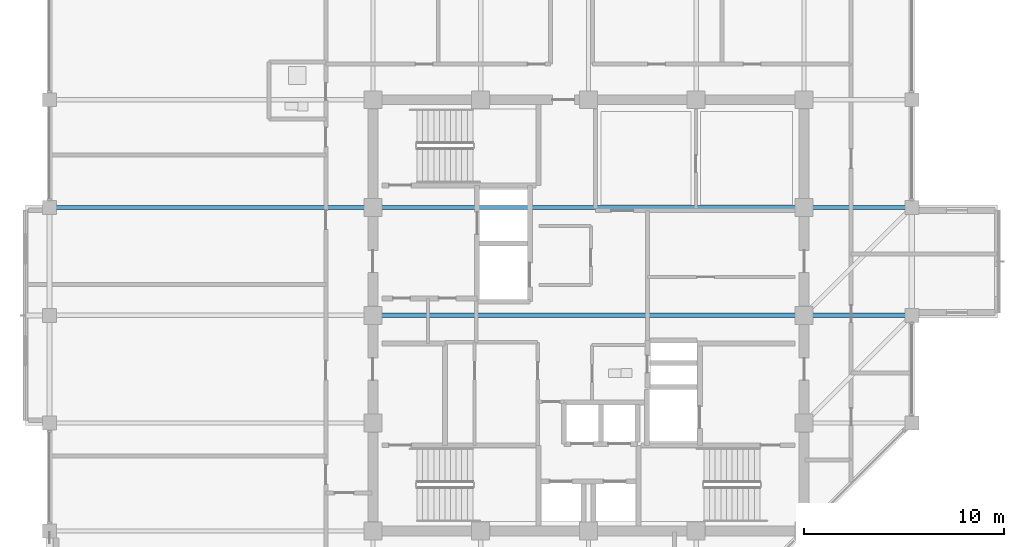
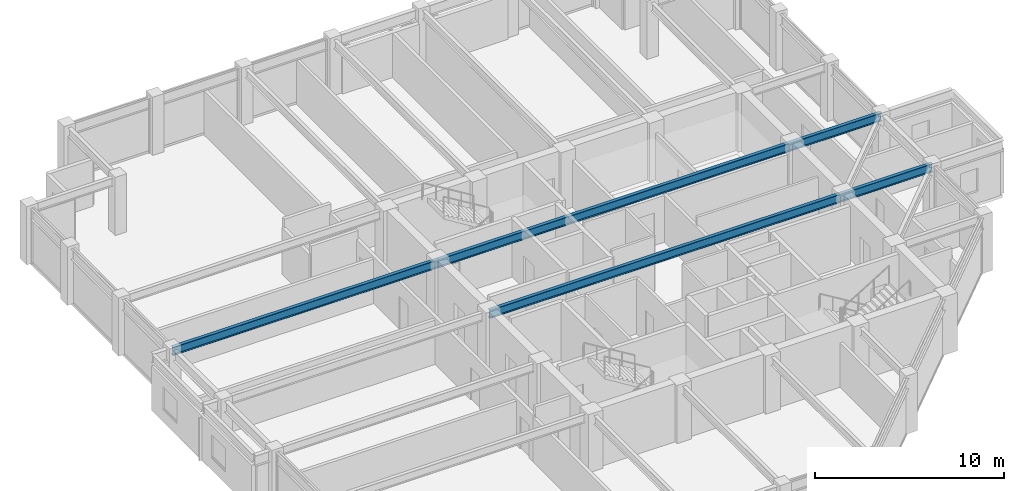
# One storey, part 9 of 30: 3 beams.
"""IFC4 building model written with IfcOpenShell, lengths in metres."""

from ifc_helpers import new_model, si_unit, direction, frame, origin, origin_2d, place, context, subcontext, project, spatial, i_section, extrude, material, material_profile, profile_set, type_object, element, save


model = new_model("IFC4")

# Units and contexts
model_context = context("Model", 3, precision=1e-05, world=origin(), true_north=direction((0.0, 1.0)))
body_context = subcontext(model_context, "Body", "Model", "MODEL_VIEW")
ifc_project = project(units=[si_unit("LENGTHUNIT", "METRE"), si_unit("AREAUNIT", "SQUARE_METRE"), si_unit("VOLUMEUNIT", "CUBIC_METRE"), si_unit("PLANEANGLEUNIT", "RADIAN"), si_unit("MASSUNIT", "GRAM", prefix="KILO")], contexts=[model_context])

# Site, building, storey
site_placement = place(None, origin())
site = spatial("IfcSite", under=ifc_project, at=site_placement, CompositionType="ELEMENT")
building_placement = place(site_placement, origin())
building = spatial("IfcBuilding", under=site, at=building_placement, Name="Surkhivell Harbour Commons", CompositionType="ELEMENT")
storey_placement = place(building_placement, frame((0.0, 0.0, 303.75)))
storey = spatial("IfcBuildingStorey", under=building, at=storey_placement, Name="L79", CompositionType="ELEMENT", Elevation=303.75)

# Beams
ifc_material = material(Name="Steel S355", Category="steel")
ifc_material_profile = material_profile(ifc_material, i_section(OverallWidth=0.2099609375, OverallDepth=0.537109375, WebThickness=0.0107421875, FlangeThickness=0.017333984375, at=origin_2d()), Name="UB533x210x101")
ifc_profile_set = profile_set([ifc_material_profile], Name="Steel S355")
beam_type = type_object("IfcBeamType", Name="BM-GRD-533B", PredefinedType="BEAM", material=ifc_profile_set)
for number, where, z_axis, x_axis, name in (
    (1, (-10.800048828125, 0.0, 3.301513671875), (1.0, 0.0, 0.0), (0.0, 1.0, 0.0), "L79 Cantilever Back-Span Girder (-10.8,0.0)"),
    (2, (-10.800048828125, 5.39990234375, 3.301513671875), (1.0, 0.0, 0.0), (0.0, 1.0, 0.0), "L79 Cantilever Back-Span Girder (-10.8,5.4)"),
):
    element("IfcBeam", number, at=place(storey_placement, frame(where, z_axis=z_axis, x_axis=x_axis)), inside=storey, type_object=beam_type, Name=name, PredefinedType="BEAM", context=body_context, shape_type="SweptSolid", body=[
        extrude(i_section(OverallWidth=0.2099609375, OverallDepth=0.537109375, WebThickness=0.0107421875, FlangeThickness=0.017333984375, at=origin_2d()), origin(), (0.0, 0.0, 1.0), 27.0),
    ])
beam_placement = place(storey_placement, frame((-27.0, 5.39990234375, 3.301513671875), z_axis=(1.0, 0.0, 0.0), x_axis=(0.0, 1.0, 0.0)))
element("IfcBeam", 3, at=beam_placement, inside=storey, type_object=beam_type, Name="L79 Floor Girder (-27.0,5.4)", PredefinedType="BEAM", context=body_context, shape_type="SweptSolid", body=[
    extrude(i_section(OverallWidth=0.2099609375, OverallDepth=0.537109375, WebThickness=0.0107421875, FlangeThickness=0.017333984375, at=origin_2d()), origin(), (0.0, 0.0, 1.0), 16.199951171875),
])

save(model, "model.ifc")
